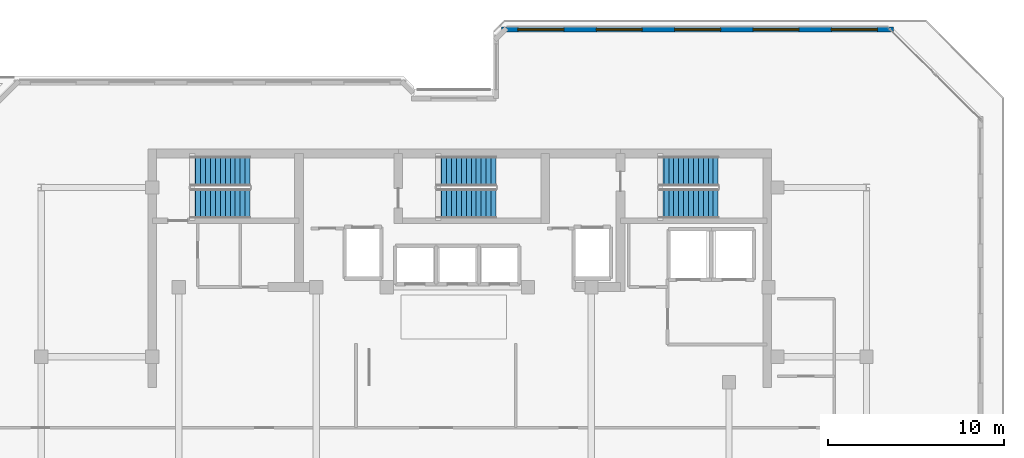
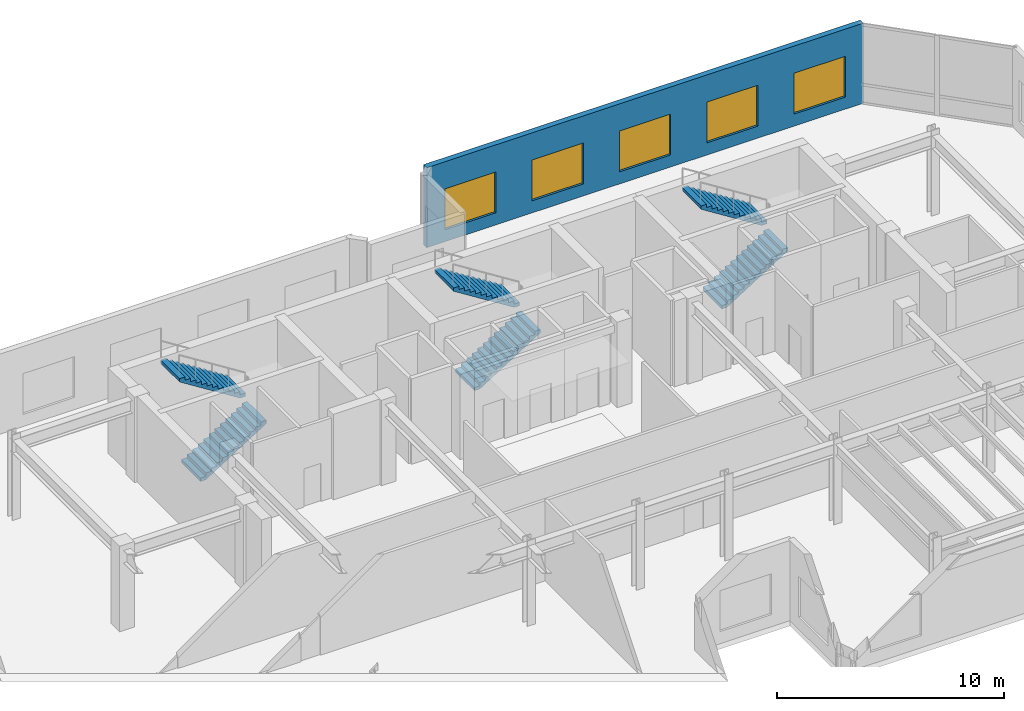
# One storey, part 9 of 14: 6 stair flights, 5 windows, 1 wall, 5 openings, 3 elements without a shape of their own.
"""IFC4 building model written with IfcOpenShell, lengths in metres."""

from ifc_helpers import new_model, si_unit, direction, frame, frame_2d, origin, place, context, subcontext, project, spatial, polyline, rectangle, outline, extrude, material, layer, layer_set, type_object, element, fill, aggregate, save


model = new_model("IFC4")

# Units and contexts
model_context = context("Model", 3, precision=1e-05, world=origin(), true_north=direction((0.0, 1.0)))
body_context = subcontext(model_context, "Body", "Model", "MODEL_VIEW")
ifc_project = project(units=[si_unit("LENGTHUNIT", "METRE"), si_unit("AREAUNIT", "SQUARE_METRE"), si_unit("VOLUMEUNIT", "CUBIC_METRE"), si_unit("PLANEANGLEUNIT", "RADIAN"), si_unit("MASSUNIT", "GRAM", prefix="KILO")], contexts=[model_context])

# Site, building, storey
site_placement = place(None, origin())
site = spatial("IfcSite", under=ifc_project, at=site_placement, CompositionType="ELEMENT")
building_placement = place(site_placement, origin())
building = spatial("IfcBuilding", under=site, at=building_placement, Name="Kestravale Grand Hotel", CompositionType="ELEMENT")
storey_placement = place(building_placement, frame((0.0, 0.0, 297.39990234375)))
storey = spatial("IfcBuildingStorey", under=building, at=storey_placement, Name="L74", CompositionType="ELEMENT", Elevation=297.39990234375)

# Wall, openings, windows
ifc_material_1 = material(Name="Precast concrete f'c 45 MPa", Category="concrete")
ifc_layer = layer(ifc_material_1, 0.280029296875)
ifc_layer_set = layer_set([ifc_layer], Name="EW-PREC-280")
wall_type = type_object("IfcWallType", Name="EW-PREC-280", PredefinedType="SOLIDWALL", material=ifc_layer_set)
wall_placement = place(storey_placement, frame((63.93994140625, 47.360107421875, 0.0), z_axis=(0.0, 0.0, 1.0), x_axis=(-1.0, 0.0, 0.0)))
wall = element("IfcWall", 1, at=wall_placement, inside=storey, type_object=wall_type, Name="L74 fluted precast facade wall 11", PredefinedType="SOLIDWALL", context=body_context, shape_type="SweptSolid", body=[
    extrude(rectangle(XDim=22.22998046875, YDim=0.280029296875, at=frame_2d((11.114990234375, 0.0))), origin(), (0.0, 0.0, 1.0), 4.31005859375),
])
opening_1_placement = place(wall_placement, frame((0.923095703125, 0.0, 0.64990234375)))
opening_1 = element("IfcOpeningElement", 2, at=opening_1_placement, cuts=wall, Name="Opening W-SKY-2600", PredefinedType="OPENING", context=body_context, shape_type="SweptSolid", body=[
    extrude(rectangle(XDim=2.60009765625, YDim=2.199951171875, at=frame_2d((1.300048828125, 1.10009765625))), frame((0.0, 0.14990234375, 0.0), z_axis=(0.0, -1.0, 0.0), x_axis=(1.0, 0.0, 0.0)), (0.0, 0.0, 1.0), 0.300048828125),
])
opening_2_placement = place(wall_placement, frame((5.368896484375, 0.0, 0.64990234375)))
opening_2 = element("IfcOpeningElement", 3, at=opening_2_placement, cuts=wall, Name="Opening W-SKY-2600", PredefinedType="OPENING", context=body_context, shape_type="SweptSolid", body=[
    extrude(rectangle(XDim=2.60009765625, YDim=2.199951171875, at=frame_2d((1.300048828125, 1.10009765625))), frame((0.0, 0.14990234375, 0.0), z_axis=(0.0, -1.0, 0.0), x_axis=(1.0, 0.0, 0.0)), (0.0, 0.0, 1.0), 0.300048828125),
])
opening_3_placement = place(wall_placement, frame((9.81494140625, 0.0, 0.64990234375)))
opening_3 = element("IfcOpeningElement", 4, at=opening_3_placement, cuts=wall, Name="Opening W-SKY-2600", PredefinedType="OPENING", context=body_context, shape_type="SweptSolid", body=[
    extrude(rectangle(XDim=2.60009765625, YDim=2.199951171875, at=frame_2d((1.300048828125, 1.10009765625))), frame((0.0, 0.14990234375, 0.0), z_axis=(0.0, -1.0, 0.0), x_axis=(1.0, 0.0, 0.0)), (0.0, 0.0, 1.0), 0.300048828125),
])
opening_4_placement = place(wall_placement, frame((14.260986328125, 0.0, 0.64990234375)))
opening_4 = element("IfcOpeningElement", 5, at=opening_4_placement, cuts=wall, Name="Opening W-SKY-2600", PredefinedType="OPENING", context=body_context, shape_type="SweptSolid", body=[
    extrude(rectangle(XDim=2.60009765625, YDim=2.199951171875, at=frame_2d((1.300048828125, 1.10009765625))), frame((0.0, 0.14990234375, 0.0), z_axis=(0.0, -1.0, 0.0), x_axis=(1.0, 0.0, 0.0)), (0.0, 0.0, 1.0), 0.300048828125),
])
opening_5_placement = place(wall_placement, frame((18.70703125, 0.0, 0.64990234375)))
opening_5 = element("IfcOpeningElement", 6, at=opening_5_placement, cuts=wall, Name="Opening W-SKY-2600", PredefinedType="OPENING", context=body_context, shape_type="SweptSolid", body=[
    extrude(rectangle(XDim=2.60009765625, YDim=2.199951171875, at=frame_2d((1.300048828125, 1.10009765625))), frame((0.0, 0.14990234375, 0.0), z_axis=(0.0, -1.0, 0.0), x_axis=(1.0, 0.0, 0.0)), (0.0, 0.0, 1.0), 0.300048828125),
])
ifc_material_2 = material(Name="Insulated low-E double glazing in aluminium frame", Category="aluminium")
window_type = type_object("IfcWindowType", Name="W-SKY-2600", PartitioningType="TRIPLE_PANEL_VERTICAL", PredefinedType="WINDOW", material=ifc_material_2)
window_1_placement = place(opening_1_placement, origin())
window_1 = element("IfcWindow", 7, at=window_1_placement, inside=storey, type_object=window_type, Name="L74 exterior window 11.1", OverallHeight=2.199951171875, OverallWidth=2.60009765625, PartitioningType="SINGLE_PANEL", PredefinedType="WINDOW", context=body_context, shape_type="SweptSolid", body=[
    extrude(rectangle(XDim=2.60009765625, YDim=2.199951171875, at=frame_2d((1.300048828125, 1.10009765625))), frame((0.0, 0.030029296875, 0.0), z_axis=(0.0, -1.0, 0.0), x_axis=(1.0, 0.0, 0.0)), (0.0, 0.0, 1.0), 0.06005859375),
])
fill(opening_1, window_1)
window_2_placement = place(opening_2_placement, origin())
window_2 = element("IfcWindow", 8, at=window_2_placement, inside=storey, type_object=window_type, Name="L74 exterior window 11.2", OverallHeight=2.199951171875, OverallWidth=2.60009765625, PartitioningType="SINGLE_PANEL", PredefinedType="WINDOW", context=body_context, shape_type="SweptSolid", body=[
    extrude(rectangle(XDim=2.60009765625, YDim=2.199951171875, at=frame_2d((1.300048828125, 1.10009765625))), frame((0.0, 0.030029296875, 0.0), z_axis=(0.0, -1.0, 0.0), x_axis=(1.0, 0.0, 0.0)), (0.0, 0.0, 1.0), 0.06005859375),
])
fill(opening_2, window_2)
window_3_placement = place(opening_3_placement, origin())
window_3 = element("IfcWindow", 9, at=window_3_placement, inside=storey, type_object=window_type, Name="L74 exterior window 11.3", OverallHeight=2.199951171875, OverallWidth=2.60009765625, PartitioningType="SINGLE_PANEL", PredefinedType="WINDOW", context=body_context, shape_type="SweptSolid", body=[
    extrude(rectangle(XDim=2.60009765625, YDim=2.199951171875, at=frame_2d((1.300048828125, 1.10009765625))), frame((0.0, 0.030029296875, 0.0), z_axis=(0.0, -1.0, 0.0), x_axis=(1.0, 0.0, 0.0)), (0.0, 0.0, 1.0), 0.06005859375),
])
fill(opening_3, window_3)
window_4_placement = place(opening_4_placement, origin())
window_4 = element("IfcWindow", 10, at=window_4_placement, inside=storey, type_object=window_type, Name="L74 exterior window 11.4", OverallHeight=2.199951171875, OverallWidth=2.60009765625, PartitioningType="SINGLE_PANEL", PredefinedType="WINDOW", context=body_context, shape_type="SweptSolid", body=[
    extrude(rectangle(XDim=2.60009765625, YDim=2.199951171875, at=frame_2d((1.300048828125, 1.10009765625))), frame((0.0, 0.030029296875, 0.0), z_axis=(0.0, -1.0, 0.0), x_axis=(1.0, 0.0, 0.0)), (0.0, 0.0, 1.0), 0.06005859375),
])
fill(opening_4, window_4)
window_5_placement = place(opening_5_placement, origin())
window_5 = element("IfcWindow", 11, at=window_5_placement, inside=storey, type_object=window_type, Name="L74 exterior window 11.5", OverallHeight=2.199951171875, OverallWidth=2.60009765625, PartitioningType="SINGLE_PANEL", PredefinedType="WINDOW", context=body_context, shape_type="SweptSolid", body=[
    extrude(rectangle(XDim=2.60009765625, YDim=2.199951171875, at=frame_2d((1.300048828125, 1.10009765625))), frame((0.0, 0.030029296875, 0.0), z_axis=(0.0, -1.0, 0.0), x_axis=(1.0, 0.0, 0.0)), (0.0, 0.0, 1.0), 0.06005859375),
])
fill(opening_5, window_5)

# Stair, stair flights
ifc_material_3 = material(Name="Concrete f'c 45 MPa", Category="concrete")
stair_type = type_object("IfcStairType", Name="ST-CORE-460", PredefinedType="HALF_TURN_STAIR", material=ifc_material_3)
stair_1_placement = place(storey_placement, origin())
stair_1 = element("IfcStair", 12, at=stair_1_placement, inside=storey, type_object=stair_type, Name="L74 ST-1", PredefinedType="HALF_TURN_STAIR")
ifc_material_4 = material(Name="Concrete f'c 45 MPa", Category="concrete")
stair_flight_type = type_object("IfcStairFlightType", Name="STF-CORE-460", PredefinedType="STRAIGHT", material=ifc_material_4)
stair_flight_1_placement = place(storey_placement, frame((24.080078125, 37.489990234375, 0.0), z_axis=(0.0, 0.0, 1.0), x_axis=(1.0, 0.0, 0.0)))
stair_flight_1 = element("IfcStairFlight", 13, at=stair_flight_1_placement, type_object=stair_flight_type, Name="ST-1 flight 1", NumberOfRisers=13, NumberOfTreads=12, PredefinedType="STRAIGHT", RiserHeight=0.176923077, TreadLength=0.28, context=body_context, shape_type="SweptSolid", body=[
    extrude(outline(polyline([(0.0, 0.0), (0.0, 0.177001953125), (0.280029296875, 0.177001953125), (0.280029296875, 0.353759765625), (0.56005859375, 0.353759765625), (0.56005859375, 0.53076171875), (0.840087890625, 0.53076171875), (0.840087890625, 0.707763671875), (1.1201171875, 0.707763671875), (1.1201171875, 0.884521484375), (1.39990234375, 0.884521484375), (1.39990234375, 1.0615234375), (1.679931640625, 1.0615234375), (1.679931640625, 1.238525390625), (1.9599609375, 1.238525390625), (1.9599609375, 1.415283203125), (2.239990234375, 1.415283203125), (2.239990234375, 1.59228515625), (2.52001953125, 1.59228515625), (2.52001953125, 1.769287109375), (2.800048828125, 1.769287109375), (2.800048828125, 1.946044921875), (3.080078125, 1.946044921875), (3.080078125, 2.123046875), (3.360107421875, 2.123046875), (3.360107421875, 2.300048828125), (3.360107421875, 1.94580078125), (0.280517578125, 0.0), (0.0, 0.0)])), frame((0.0, 0.83984375, 0.0), z_axis=(0.0, -1.0, 0.0), x_axis=(1.0, 0.0, 0.0)), (0.0, 0.0, 1.0), 1.679931640625),
])
stair_flight_2_placement = place(storey_placement, frame((27.43994140625, 39.320068359375, 2.300048828125), z_axis=(0.0, 0.0, 1.0), x_axis=(-1.0, 0.0, 0.0)))
stair_flight_2 = element("IfcStairFlight", 14, at=stair_flight_2_placement, type_object=stair_flight_type, Name="ST-1 flight 2", NumberOfRisers=13, NumberOfTreads=12, PredefinedType="STRAIGHT", RiserHeight=0.176923077, TreadLength=0.28, context=body_context, shape_type="SweptSolid", body=[
    extrude(outline(polyline([(0.0, 0.0), (0.0, 0.177001953125), (0.280029296875, 0.177001953125), (0.280029296875, 0.353759765625), (0.56005859375, 0.353759765625), (0.56005859375, 0.53076171875), (0.840087890625, 0.53076171875), (0.840087890625, 0.707763671875), (1.1201171875, 0.707763671875), (1.1201171875, 0.884521484375), (1.39990234375, 0.884521484375), (1.39990234375, 1.0615234375), (1.679931640625, 1.0615234375), (1.679931640625, 1.238525390625), (1.9599609375, 1.238525390625), (1.9599609375, 1.415283203125), (2.239990234375, 1.415283203125), (2.239990234375, 1.59228515625), (2.52001953125, 1.59228515625), (2.52001953125, 1.769287109375), (2.800048828125, 1.769287109375), (2.800048828125, 1.946044921875), (3.080078125, 1.946044921875), (3.080078125, 2.123046875), (3.360107421875, 2.123046875), (3.360107421875, 2.300048828125), (3.360107421875, 1.94580078125), (0.280517578125, 0.0), (0.0, 0.0)])), frame((0.0, 0.83984375, 0.0), z_axis=(0.0, -1.0, 0.0), x_axis=(1.0, 0.0, 0.0)), (0.0, 0.0, 1.0), 1.679931640625),
])
aggregate(stair_1, [stair_flight_1, stair_flight_2])

stair_2_placement = place(storey_placement, origin())
stair_2 = element("IfcStair", 15, at=stair_2_placement, inside=storey, type_object=stair_type, Name="L74 ST-2", PredefinedType="HALF_TURN_STAIR")
stair_flight_3_placement = place(storey_placement, frame((38.030029296875, 37.489990234375, 0.0), z_axis=(0.0, 0.0, 1.0), x_axis=(1.0, 0.0, 0.0)))
stair_flight_3 = element("IfcStairFlight", 16, at=stair_flight_3_placement, type_object=stair_flight_type, Name="ST-2 flight 1", NumberOfRisers=13, NumberOfTreads=12, PredefinedType="STRAIGHT", RiserHeight=0.176923077, TreadLength=0.28, context=body_context, shape_type="SweptSolid", body=[
    extrude(outline(polyline([(0.0, 0.0), (0.0, 0.177001953125), (0.280029296875, 0.177001953125), (0.280029296875, 0.353759765625), (0.56005859375, 0.353759765625), (0.56005859375, 0.53076171875), (0.840087890625, 0.53076171875), (0.840087890625, 0.707763671875), (1.1201171875, 0.707763671875), (1.1201171875, 0.884521484375), (1.39990234375, 0.884521484375), (1.39990234375, 1.0615234375), (1.679931640625, 1.0615234375), (1.679931640625, 1.238525390625), (1.9599609375, 1.238525390625), (1.9599609375, 1.415283203125), (2.239990234375, 1.415283203125), (2.239990234375, 1.59228515625), (2.52001953125, 1.59228515625), (2.52001953125, 1.769287109375), (2.800048828125, 1.769287109375), (2.800048828125, 1.946044921875), (3.080078125, 1.946044921875), (3.080078125, 2.123046875), (3.360107421875, 2.123046875), (3.360107421875, 2.300048828125), (3.360107421875, 1.94580078125), (0.280517578125, 0.0), (0.0, 0.0)])), frame((0.0, 0.83984375, 0.0), z_axis=(0.0, -1.0, 0.0), x_axis=(1.0, 0.0, 0.0)), (0.0, 0.0, 1.0), 1.679931640625),
])
stair_flight_4_placement = place(storey_placement, frame((41.389892578125, 39.320068359375, 2.300048828125), z_axis=(0.0, 0.0, 1.0), x_axis=(-1.0, 0.0, 0.0)))
stair_flight_4 = element("IfcStairFlight", 17, at=stair_flight_4_placement, type_object=stair_flight_type, Name="ST-2 flight 2", NumberOfRisers=13, NumberOfTreads=12, PredefinedType="STRAIGHT", RiserHeight=0.176923077, TreadLength=0.28, context=body_context, shape_type="SweptSolid", body=[
    extrude(outline(polyline([(0.0, 0.0), (0.0, 0.177001953125), (0.280029296875, 0.177001953125), (0.280029296875, 0.353759765625), (0.56005859375, 0.353759765625), (0.56005859375, 0.53076171875), (0.840087890625, 0.53076171875), (0.840087890625, 0.707763671875), (1.1201171875, 0.707763671875), (1.1201171875, 0.884521484375), (1.39990234375, 0.884521484375), (1.39990234375, 1.0615234375), (1.679931640625, 1.0615234375), (1.679931640625, 1.238525390625), (1.9599609375, 1.238525390625), (1.9599609375, 1.415283203125), (2.239990234375, 1.415283203125), (2.239990234375, 1.59228515625), (2.52001953125, 1.59228515625), (2.52001953125, 1.769287109375), (2.800048828125, 1.769287109375), (2.800048828125, 1.946044921875), (3.080078125, 1.946044921875), (3.080078125, 2.123046875), (3.360107421875, 2.123046875), (3.360107421875, 2.300048828125), (3.360107421875, 1.94580078125), (0.280517578125, 0.0), (0.0, 0.0)])), frame((0.0, 0.83984375, 0.0), z_axis=(0.0, -1.0, 0.0), x_axis=(1.0, 0.0, 0.0)), (0.0, 0.0, 1.0), 1.679931640625),
])
aggregate(stair_2, [stair_flight_3, stair_flight_4])

stair_3_placement = place(storey_placement, origin())
stair_3 = element("IfcStair", 18, at=stair_3_placement, inside=storey, type_object=stair_type, Name="L74 ST-3", PredefinedType="HALF_TURN_STAIR")
stair_flight_5_placement = place(storey_placement, frame((50.6298828125, 37.489990234375, 0.0), z_axis=(0.0, 0.0, 1.0), x_axis=(1.0, 0.0, 0.0)))
stair_flight_5 = element("IfcStairFlight", 19, at=stair_flight_5_placement, type_object=stair_flight_type, Name="ST-3 flight 1", NumberOfRisers=13, NumberOfTreads=12, PredefinedType="STRAIGHT", RiserHeight=0.176923077, TreadLength=0.28, context=body_context, shape_type="SweptSolid", body=[
    extrude(outline(polyline([(0.0, 0.0), (0.0, 0.177001953125), (0.280029296875, 0.177001953125), (0.280029296875, 0.353759765625), (0.56005859375, 0.353759765625), (0.56005859375, 0.53076171875), (0.840087890625, 0.53076171875), (0.840087890625, 0.707763671875), (1.1201171875, 0.707763671875), (1.1201171875, 0.884521484375), (1.39990234375, 0.884521484375), (1.39990234375, 1.0615234375), (1.679931640625, 1.0615234375), (1.679931640625, 1.238525390625), (1.9599609375, 1.238525390625), (1.9599609375, 1.415283203125), (2.239990234375, 1.415283203125), (2.239990234375, 1.59228515625), (2.52001953125, 1.59228515625), (2.52001953125, 1.769287109375), (2.800048828125, 1.769287109375), (2.800048828125, 1.946044921875), (3.080078125, 1.946044921875), (3.080078125, 2.123046875), (3.360107421875, 2.123046875), (3.360107421875, 2.300048828125), (3.360107421875, 1.94580078125), (0.280517578125, 0.0), (0.0, 0.0)])), frame((0.0, 0.83984375, 0.0), z_axis=(0.0, -1.0, 0.0), x_axis=(1.0, 0.0, 0.0)), (0.0, 0.0, 1.0), 1.679931640625),
])
stair_flight_6_placement = place(storey_placement, frame((53.989990234375, 39.320068359375, 2.300048828125), z_axis=(0.0, 0.0, 1.0), x_axis=(-1.0, 0.0, 0.0)))
stair_flight_6 = element("IfcStairFlight", 20, at=stair_flight_6_placement, type_object=stair_flight_type, Name="ST-3 flight 2", NumberOfRisers=13, NumberOfTreads=12, PredefinedType="STRAIGHT", RiserHeight=0.176923077, TreadLength=0.28, context=body_context, shape_type="SweptSolid", body=[
    extrude(outline(polyline([(0.0, 0.0), (0.0, 0.177001953125), (0.280029296875, 0.177001953125), (0.280029296875, 0.353759765625), (0.56005859375, 0.353759765625), (0.56005859375, 0.53076171875), (0.840087890625, 0.53076171875), (0.840087890625, 0.707763671875), (1.1201171875, 0.707763671875), (1.1201171875, 0.884521484375), (1.39990234375, 0.884521484375), (1.39990234375, 1.0615234375), (1.679931640625, 1.0615234375), (1.679931640625, 1.238525390625), (1.9599609375, 1.238525390625), (1.9599609375, 1.415283203125), (2.239990234375, 1.415283203125), (2.239990234375, 1.59228515625), (2.52001953125, 1.59228515625), (2.52001953125, 1.769287109375), (2.800048828125, 1.769287109375), (2.800048828125, 1.946044921875), (3.080078125, 1.946044921875), (3.080078125, 2.123046875), (3.360107421875, 2.123046875), (3.360107421875, 2.300048828125), (3.360107421875, 1.94580078125), (0.280517578125, 0.0), (0.0, 0.0)])), frame((0.0, 0.83984375, 0.0), z_axis=(0.0, -1.0, 0.0), x_axis=(1.0, 0.0, 0.0)), (0.0, 0.0, 1.0), 1.679931640625),
])
aggregate(stair_3, [stair_flight_5, stair_flight_6])

save(model, "model.ifc")
